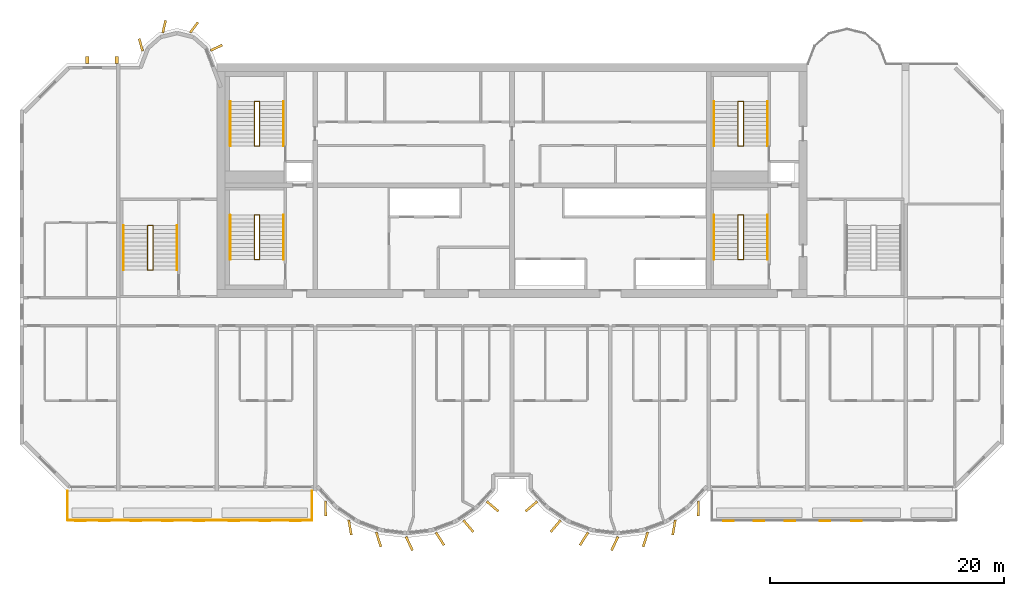
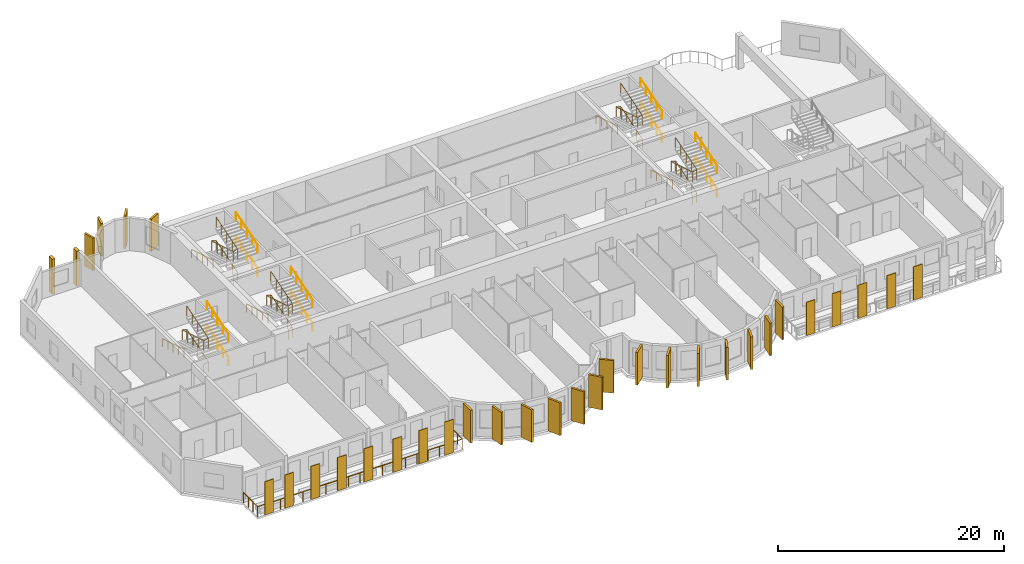
# One storey, part 11 of 13: 33 coverings, 21 railings.
"""IFC4 building model written with IfcOpenShell, lengths in metres."""

import ifcopenshell
import ifcopenshell.guid

model = None  # the IFC model being written
_history = None  # IfcOwnerHistory: only IFC2X3 demands one
_inside = {}  # id of a spatial element -> (the spatial element, [elements in it])
_under = {}  # id of a project, library or spatial element -> (it, [spatial elements below it])
_declared = {}  # id of a project -> (the project, [libraries it declares])
_typed = {}  # id of a type object -> (the type object, [elements of that type])
_made_of = {}  # id of a material, layer set ... -> (it, [elements and type objects made of it])


def new_model(schema):
    """Start an empty IFC model of exactly this schema.

    Asked for "IFC4X3", IfcOpenShell would pick the latest addendum, in which some entities
    have other attributes; the version numbers below select the first issue.
    IFC2X3 requires an IfcOwnerHistory on every rooted entity: one is made here for all.
    """
    global model, _history
    if schema == "IFC4X3":
        model = ifcopenshell.file(schema_version=(4, 3, 0, 0))
    else:
        model = ifcopenshell.file(schema=schema)
    _inside.clear()
    _under.clear()
    _declared.clear()
    _typed.clear()
    _made_of.clear()
    _history = None
    if model.schema == "IFC2X3":
        org = make("IfcOrganization", Name="unknown")
        user = make(
            "IfcPersonAndOrganization",
            ThePerson=make("IfcPerson", FamilyName="unknown"),
            TheOrganization=org,
        )
        app = make(
            "IfcApplication",
            ApplicationDeveloper=org,
            Version="unknown",
            ApplicationFullName="unknown",
            ApplicationIdentifier="unknown",
        )
        _history = make(
            "IfcOwnerHistory",
            OwningUser=user,
            OwningApplication=app,
            ChangeAction="ADDED",
            CreationDate=0,
        )
    return model


def make(cls, **values):
    """One entity of the class cls with the attributes given. An attribute that is None is left unset."""
    return model.create_entity(
        cls, **{name: value for name, value in values.items() if value is not None}
    )


def rooted(cls, **values):
    """An entity with a GlobalId (a new one), such as an element, a storey or a relation."""
    return make(cls, GlobalId=ifcopenshell.guid.new(), OwnerHistory=_history, **values)


def si_unit(unit_type, name, prefix=None):
    """IfcSIUnit, for example si_unit("LENGTHUNIT", "METRE", prefix="MILLI")."""
    return make("IfcSIUnit", UnitType=unit_type, Prefix=prefix, Name=name)


def assignment(units):
    """IfcUnitAssignment: the units of a project."""
    return None if units is None else make("IfcUnitAssignment", Units=units)


def point(xyz):
    """IfcCartesianPoint."""
    return None if xyz is None else make("IfcCartesianPoint", Coordinates=xyz)


def direction(xyz):
    """IfcDirection."""
    return None if xyz is None else make("IfcDirection", DirectionRatios=xyz)


def frame(location, z_axis=None, x_axis=None):
    """IfcAxis2Placement3D, a coordinate frame: its origin and axes. An axis left out is left unset."""
    return make(
        "IfcAxis2Placement3D",
        Location=point(location),
        Axis=direction(z_axis),
        RefDirection=direction(x_axis),
    )


def frame_2d(location, x_axis=None):
    """IfcAxis2Placement2D, a coordinate frame in the plane: its origin and x axis."""
    return make(
        "IfcAxis2Placement2D", Location=point(location), RefDirection=direction(x_axis)
    )


def origin():
    """The frame at (0, 0, 0) with its axes left unset."""
    return frame((0.0, 0.0, 0.0))


def origin_2d():
    """The frame at (0, 0) in the plane with its x axis left unset."""
    return frame_2d((0.0, 0.0))


def place(relative_to, where):
    """IfcLocalPlacement: puts the frame where relative to a parent placement (None: the world)."""
    return make(
        "IfcLocalPlacement", PlacementRelTo=relative_to, RelativePlacement=where
    )


def context(
    kind, dimensions, precision=None, world=None, true_north=None, identifier=None
):
    """IfcGeometricRepresentationContext, for example the 3D "Model" context."""
    return make(
        "IfcGeometricRepresentationContext",
        ContextIdentifier=identifier,
        ContextType=kind,
        CoordinateSpaceDimension=dimensions,
        Precision=precision,
        WorldCoordinateSystem=world,
        TrueNorth=true_north,
    )


def subcontext(parent, identifier, kind, view, scale=None):
    """IfcGeometricRepresentationSubContext, for example "Body" below "Model"."""
    return make(
        "IfcGeometricRepresentationSubContext",
        ContextIdentifier=identifier,
        ContextType=kind,
        ParentContext=parent,
        TargetScale=scale,
        TargetView=view,
    )


def project(units=None, contexts=None):
    """IfcProject with its units and contexts."""
    return rooted(
        "IfcProject",
        Name="project",
        RepresentationContexts=contexts,
        UnitsInContext=assignment(units),
    )


def spatial(cls, under=None, at=None, **own):
    """A site, building, storey or space (cls), placed at a placement, below another one or the project."""
    s = rooted(cls, ObjectPlacement=at, **own)
    if under is not None:
        _under.setdefault(under.id(), (under, []))[1].append(s)
    return s


def profile(cls, at=None, kind="AREA", **sizes):
    """A parametric profile (cls). Its sizes go by their IFC names, for example OverallWidth=200.0."""
    return make(cls, ProfileType=kind, Position=at, **sizes)


def rectangle(**sizes):
    """IfcRectangleProfileDef."""
    return profile("IfcRectangleProfileDef", **sizes)


def circle(**sizes):
    """IfcCircleProfileDef."""
    return profile("IfcCircleProfileDef", **sizes)


def extrude(swept, where, along, depth):
    """IfcExtrudedAreaSolid: the profile swept, set in the frame where, extruded along a direction by depth."""
    return make(
        "IfcExtrudedAreaSolid",
        SweptArea=swept,
        Position=where,
        ExtrudedDirection=direction(along),
        Depth=depth,
    )


def shape(context_of_items, identifier, shape_type, items):
    """IfcShapeRepresentation: the items that make up one representation, for example the "Body"."""
    return make(
        "IfcShapeRepresentation",
        ContextOfItems=context_of_items,
        RepresentationIdentifier=identifier,
        RepresentationType=shape_type,
        Items=items,
    )


def source(mapping_origin, context_of_items, identifier, shape_type, items):
    """IfcRepresentationMap: a shape defined once, which mapped items show again and again."""
    return make(
        "IfcRepresentationMap",
        MappingOrigin=mapping_origin,
        MappedRepresentation=shape(context_of_items, identifier, shape_type, items),
    )


def transform(
    local_origin,
    x_axis=None,
    y_axis=None,
    z_axis=None,
    scale=None,
    scale2=None,
    scale3=None,
    uniform=True,
):
    """IfcCartesianTransformationOperator3D, or its non-uniform kind. x_axis, y_axis, z_axis: its Axis1, 2, 3."""
    if uniform:
        return make(
            "IfcCartesianTransformationOperator3D",
            Axis1=direction(x_axis),
            Axis2=direction(y_axis),
            LocalOrigin=point(local_origin),
            Scale=scale,
            Axis3=direction(z_axis),
        )
    return make(
        "IfcCartesianTransformationOperator3DnonUniform",
        Axis1=direction(x_axis),
        Axis2=direction(y_axis),
        LocalOrigin=point(local_origin),
        Scale=scale,
        Axis3=direction(z_axis),
        Scale2=scale2,
        Scale3=scale3,
    )


def mapped(mapping_source, mapping_target):
    """IfcMappedItem: shows the shape of a source again, moved by a transform."""
    return make(
        "IfcMappedItem", MappingSource=mapping_source, MappingTarget=mapping_target
    )


def material(Name=None, Category=None):
    """IfcMaterial."""
    return make("IfcMaterial", Name=Name, Category=Category)


def layer(
    of_material, thickness, ventilated=None, Name=None, Category=None, Priority=None
):
    """IfcMaterialLayer: one layer of a wall or slab, of a material (None: an air gap)."""
    return make(
        "IfcMaterialLayer",
        Material=of_material,
        LayerThickness=thickness,
        IsVentilated=ventilated,
        Name=Name,
        Category=Category,
        Priority=Priority,
    )


def layer_set(layers, Name=None):
    """IfcMaterialLayerSet."""
    return make("IfcMaterialLayerSet", MaterialLayers=layers, LayerSetName=Name)


def material_profile(
    of_material, cross_section, Name=None, Category=None, Priority=None
):
    """IfcMaterialProfile: a cross section and its material."""
    return make(
        "IfcMaterialProfile",
        Name=Name,
        Material=of_material,
        Profile=cross_section,
        Priority=Priority,
        Category=Category,
    )


def profile_set(profiles, Name=None, composite=None):
    """IfcMaterialProfileSet."""
    return make(
        "IfcMaterialProfileSet",
        Name=Name,
        MaterialProfiles=profiles,
        CompositeProfile=composite,
    )


def made_of(thing, what):
    """Note that an element or type object is made of a material, layer set ...; save() writes the relation."""
    if what is not None:
        _made_of.setdefault(what.id(), (what, []))[1].append(thing)
    return thing


def type_object(cls, material=None, **own):
    """A type object (cls), such as IfcWallType, which elements share."""
    return made_of(rooted(cls, **own), material)


def element(
    cls,
    number,
    at=None,
    inside=None,
    cuts=None,
    type_object=None,
    material=None,
    context=None,
    identifier="Body",
    shape_type=None,
    held_by="IfcProductDefinitionShape",
    body=None,
    shapes=None,
    **own,
):
    """One element of the class cls, such as IfcWall. Its Tag is "e" and its number.

    at: its placement. inside: the storey or other place that contains it. cuts: it is an
    opening in that element (IfcRelVoidsElement). A single representation is given by context,
    identifier, shape_type and body (its items); several are given by shapes. held_by: the class
    of the entity that holds the representations. save() writes the other relations.
    """
    e = rooted(cls, Tag="e%d" % number, ObjectPlacement=at, **own)
    if body is not None:
        shapes = [shape(context, identifier, shape_type, body)]
    if shapes is not None:
        e.Representation = make(held_by, Representations=shapes)
    if inside is not None:
        _inside.setdefault(inside.id(), (inside, []))[1].append(e)
    if cuts is not None:
        rooted(
            "IfcRelVoidsElement", RelatingBuildingElement=cuts, RelatedOpeningElement=e
        )
    if type_object is not None:
        _typed.setdefault(type_object.id(), (type_object, []))[1].append(e)
    return made_of(e, material)


def aggregate(whole, parts):
    """IfcRelAggregates: a whole, such as a stair, and the parts it consists of."""
    return rooted("IfcRelAggregates", RelatingObject=whole, RelatedObjects=parts)


def save(model, path):
    """Write the relations noted so far, then the file.

    IfcRelAggregates (storeys below a building ...), IfcRelContainedInSpatialStructure (elements
    in a storey), IfcRelDefinesByType, IfcRelAssociatesMaterial and IfcRelDeclares: one each for
    every whole, place, type object, material and project.
    """
    for whole, parts in _under.values():
        aggregate(whole, parts)
    for where, things in _inside.values():
        rooted(
            "IfcRelContainedInSpatialStructure",
            RelatedElements=things,
            RelatingStructure=where,
        )
    for kind, things in _typed.values():
        rooted("IfcRelDefinesByType", RelatedObjects=things, RelatingType=kind)
    for what, things in _made_of.values():
        rooted("IfcRelAssociatesMaterial", RelatedObjects=things, RelatingMaterial=what)
    for by, libraries in _declared.values():
        rooted("IfcRelDeclares", RelatingContext=by, RelatedDefinitions=libraries)
    model.write(path)


model = new_model("IFC4")

# Units and contexts
model_context = context("Model", 3, precision=1e-05, world=origin(), true_north=direction((0.0, 1.0)))
body_context = subcontext(model_context, "Body", "Model", "MODEL_VIEW")
ifc_project = project(units=[si_unit("LENGTHUNIT", "METRE"), si_unit("AREAUNIT", "SQUARE_METRE"), si_unit("VOLUMEUNIT", "CUBIC_METRE"), si_unit("PLANEANGLEUNIT", "RADIAN"), si_unit("MASSUNIT", "GRAM", prefix="KILO")], contexts=[model_context])

# Site, building, storey
site_placement = place(None, origin())
site = spatial("IfcSite", under=ifc_project, at=site_placement, CompositionType="ELEMENT")
building_placement = place(site_placement, origin())
building = spatial("IfcBuilding", under=site, at=building_placement, Name="Vanashikhar Sky Hotel", CompositionType="ELEMENT")
storey_placement = place(building_placement, frame((0.0, 0.0, 155.39990234375)))
storey = spatial("IfcBuildingStorey", under=building, at=storey_placement, Name="L37", CompositionType="ELEMENT", Elevation=155.39990234375)

# Coverings
ifc_material_1 = material(Name="Terracotta", Category="masonry")
ifc_layer = layer(ifc_material_1, 0.06005859375)
ifc_layer_set = layer_set([ifc_layer], Name="Terracotta baguette screen")
covering_type_1 = type_object("IfcCoveringType", Name="Terracotta baguette screen", PredefinedType="CLADDING", material=ifc_layer_set)
shared_shape_1 = source(origin(), body_context, "Body", "SweptSolid", [
    extrude(rectangle(XDim=0.89990234375, YDim=0.06005859375, at=origin_2d()), origin(), (0.0, 0.0, 1.0), 3.60009765625),
])
for number, where, z_axis, x_axis, name in (
    (1, (13.574951171875, 2.929931640625, -0.050048828125), (0.0, 0.0, 1.0), (1.0, 0.0, 0.0), "Terracotta screen"),
    (2, (15.625, 2.929931640625, -0.050048828125), (0.0, 0.0, 1.0), (1.0, 0.0, 0.0), "Terracotta screen"),
    (3, (18.300048828125, 2.929931640625, -0.050048828125), (0.0, 0.0, 1.0), (1.0, 0.0, 0.0), "Terracotta screen"),
    (4, (21.0, 2.929931640625, -0.050048828125), (0.0, 0.0, 1.0), (1.0, 0.0, 0.0), "Terracotta screen"),
    (5, (23.699951171875, 2.929931640625, -0.050048828125), (0.0, 0.0, 1.0), (1.0, 0.0, 0.0), "Terracotta screen"),
    (6, (26.666748046875, 2.929931640625, -0.050048828125), (0.0, 0.0, 1.0), (1.0, 0.0, 0.0), "Terracotta screen"),
    (7, (29.300048828125, 2.929931640625, -0.050048828125), (0.0, 0.0, 1.0), (1.0, 0.0, 0.0), "Terracotta screen"),
    (8, (31.933349609375, 2.929931640625, -0.050048828125), (0.0, 0.0, 1.0), (1.0, 0.0, 0.0), "Terracotta screen"),
    (9, (68.86669921875, 2.929931640625, -0.050048828125), (0.0, 0.0, 1.0), (1.0, 0.0, 0.0), "Terracotta screen"),
    (10, (71.5, 2.929931640625, -0.050048828125), (0.0, 0.0, 1.0), (1.0, 0.0, 0.0), "Terracotta screen"),
    (11, (74.13330078125, 2.929931640625, -0.050048828125), (0.0, 0.0, 1.0), (1.0, 0.0, 0.0), "Terracotta screen"),
    (12, (77.10009765625, 2.929931640625, -0.050048828125), (0.0, 0.0, 1.0), (1.0, 0.0, 0.0), "Terracotta screen"),
    (13, (79.800048828125, 2.929931640625, -0.050048828125), (0.0, 0.0, 1.0), (1.0, 0.0, 0.0), "Terracotta screen"),
):
    element("IfcCovering", number, at=place(storey_placement, frame(where, z_axis=z_axis, x_axis=x_axis)), inside=storey, type_object=covering_type_1, Name=name, PredefinedType="CLADDING", context=body_context, shape_type="MappedRepresentation", body=[
        mapped(shared_shape_1, transform((0.0, 0.0, 0.0), scale=1.0)),
    ])
ifc_material_2 = material(Name="Concrete M60 dark", Category="concrete")
ifc_material_profile_1 = material_profile(ifc_material_2, rectangle(XDim=1.300048828125, YDim=0.199951171875, at=origin_2d()))
ifc_profile_set_1 = profile_set([ifc_material_profile_1], Name="Fin 1300 x 200")
covering_type_2 = type_object("IfcCoveringType", Name="Fin 1300 x 200", PredefinedType="CLADDING", material=ifc_profile_set_1)
shared_shape_2 = source(origin(), body_context, "Body", "SweptSolid", [
    extrude(rectangle(XDim=1.300048828125, YDim=0.199951171875, at=origin_2d()), origin(), (0.0, 0.0, 1.0), 3.52001953125),
])
for number, where, z_axis, x_axis, name in (
    (14, (34.482421875, 3.992919921875, 0.0), (0.0, 0.0, 1.0), (0.011588726826, -0.999932848451, 0.0), "Fin F1-1"),
    (15, (36.572509765625, 2.3779296875, 0.0), (0.0, 0.0, 1.0), (0.16989991575, -0.985461322746, 0.0), "Fin F1-2"),
    (16, (39.00830078125, 1.35693359375, 0.0), (0.0, 0.0, 1.0), (0.303966551867, -0.952682704444, 0.0), "Fin F1-3"),
    (17, (41.63232421875, 1.00146484375, 0.0), (0.0, 0.0, 1.0), (0.422618261741, -0.906307787037, 0.0), "Fin F1-4"),
    (18, (44.251953125, 1.416015625, 0.0), (0.0, 0.0, 1.0), (0.534411358496, -0.845224526331, 0.0), "Fin F1-5"),
    (19, (46.676025390625, 2.5, 0.0), (0.0, 0.0, 1.0), (0.645697609467, -0.763593214433, 0.0), "Fin F1-6"),
    (20, (48.7412109375, 4.1845703125, 0.0), (0.0, 0.0, 1.0), (0.758543912032, -0.65162192529, 0.0), "Fin F1-7"),
    (21, (52.058837890625, 4.1845703125, 0.0), (0.0, 0.0, 1.0), (-0.758543912032, -0.65162192529, 0.0), "Fin F2-1"),
    (22, (54.123779296875, 2.5, 0.0), (0.0, 0.0, 1.0), (-0.645697609467, -0.763593214433, 0.0), "Fin F2-2"),
    (23, (56.547119140625, 1.416015625, 0.0), (0.0, 0.0, 1.0), (-0.534411358496, -0.845224526331, 0.0), "Fin F2-3"),
    (24, (59.16748046875, 1.00146484375, 0.0), (0.0, 0.0, 1.0), (-0.422618261741, -0.906307787037, 0.0), "Fin F2-4"),
    (25, (61.790771484375, 1.35693359375, 0.0), (0.0, 0.0, 1.0), (-0.303966551867, -0.952682704444, 0.0), "Fin F2-5"),
    (26, (64.2275390625, 2.3779296875, 0.0), (0.0, 0.0, 1.0), (-0.16989991575, -0.985461322746, 0.0), "Fin F2-6"),
    (27, (66.317626953125, 3.992919921875, 0.0), (0.0, 0.0, 1.0), (-0.011588726826, -0.999932848451, 0.0), "Fin F2-7"),
):
    element("IfcCovering", number, at=place(storey_placement, frame(where, z_axis=z_axis, x_axis=x_axis)), inside=storey, type_object=covering_type_2, Name=name, PredefinedType="CLADDING", context=body_context, shape_type="MappedRepresentation", body=[
        mapped(shared_shape_2, transform((0.0, 0.0, 0.0), scale=1.0)),
    ])
ifc_material_profile_2 = material_profile(ifc_material_2, rectangle(XDim=1.10009765625, YDim=0.199951171875, at=origin_2d()))
ifc_profile_set_2 = profile_set([ifc_material_profile_2], Name="Rear lobe fin 1100 x 200")
covering_type_3 = type_object("IfcCoveringType", Name="Rear lobe fin 1100 x 200", PredefinedType="CLADDING", material=ifc_profile_set_2)
shared_shape_3 = source(origin(), body_context, "Body", "SweptSolid", [
    extrude(rectangle(XDim=1.10009765625, YDim=0.199951171875, at=origin_2d()), origin(), (0.0, 0.0, 1.0), 3.52001953125),
])
for number, where, z_axis, x_axis, name in (
    (28, (18.720703125, 43.580078125, 0.0), (0.0, 0.0, 1.0), (-0.262711264409, 0.964874495234, 0.0), "Fin R1-1"),
    (29, (20.710205078125, 45.1455078125, 0.0), (0.0, 0.0, 1.0), (0.224644935864, 0.974440687159, 0.0), "Fin R1-2"),
    (30, (23.261962890625, 45.06640625, 0.0), (0.0, 0.0, 1.0), (0.602065892195, 0.798446404874, 0.0), "Fin R1-3"),
    (31, (25.169677734375, 43.33447265625, 0.0), (0.0, 0.0, 1.0), (0.908004291068, 0.418960866193, 0.0), "Fin R1-4"),
):
    element("IfcCovering", number, at=place(storey_placement, frame(where, z_axis=z_axis, x_axis=x_axis)), inside=storey, type_object=covering_type_3, Name=name, PredefinedType="CLADDING", context=body_context, shape_type="MappedRepresentation", body=[
        mapped(shared_shape_3, transform((0.0, 0.0, 0.0), scale=1.0)),
    ])

# Railing
ifc_material_3 = material(Name="Stainless steel 316", Category="steel")
railing_type_1 = type_object("IfcRailingType", Name="Balcony guard 1100", PredefinedType="GUARDRAIL", material=ifc_material_3)
shared_shape_4 = source(origin(), body_context, "Body", "SweptSolid", [
    extrude(circle(Radius=0.02392578125, at=origin_2d()), frame((0.0, 0.0, 1.076171875), z_axis=(0.0, -1.0, 0.0), x_axis=(1.0, 0.0, 0.0)), (0.0, 0.0, 1.0), 2.5),
    extrude(circle(Radius=0.02392578125, at=origin_2d()), frame((0.0, -2.5, 1.076171875), z_axis=(1.0, 0.0, 0.0), x_axis=(0.0, 1.0, 0.0)), (0.0, 0.0, 1.0), 20.880126953125),
    extrude(circle(Radius=0.02392578125, at=origin_2d()), frame((20.880126953125, -2.5, 1.076171875), z_axis=(0.0, 1.0, 0.0), x_axis=(-1.0, 0.0, 0.0)), (0.0, 0.0, 1.0), 2.5),
    extrude(circle(Radius=0.02099609375, at=origin_2d()), origin(), (0.0, 0.0, 1.0), 1.052001953125),
    extrude(circle(Radius=0.02099609375, at=origin_2d()), frame((0.0, -0.833251953125, 0.0)), (0.0, 0.0, 1.0), 1.052001953125),
    extrude(circle(Radius=0.02099609375, at=origin_2d()), frame((0.0, -1.666748046875, 0.0)), (0.0, 0.0, 1.0), 1.052001953125),
    extrude(circle(Radius=0.02099609375, at=origin_2d()), frame((0.0, -2.5, 0.0)), (0.0, 0.0, 1.0), 1.052001953125),
    extrude(circle(Radius=0.02099609375, at=origin_2d()), frame((1.159912109375, -2.5, 0.0)), (0.0, 0.0, 1.0), 1.052001953125),
    extrude(circle(Radius=0.02099609375, at=origin_2d()), frame((2.320068359375, -2.5, 0.0)), (0.0, 0.0, 1.0), 1.052001953125),
    extrude(circle(Radius=0.02099609375, at=origin_2d()), frame((3.47998046875, -2.5, 0.0)), (0.0, 0.0, 1.0), 1.052001953125),
    extrude(circle(Radius=0.02099609375, at=origin_2d()), frame((4.64013671875, -2.5, 0.0)), (0.0, 0.0, 1.0), 1.052001953125),
    extrude(circle(Radius=0.02099609375, at=origin_2d()), frame((5.800048828125, -2.5, 0.0)), (0.0, 0.0, 1.0), 1.052001953125),
    extrude(circle(Radius=0.02099609375, at=origin_2d()), frame((6.9599609375, -2.5, 0.0)), (0.0, 0.0, 1.0), 1.052001953125),
    extrude(circle(Radius=0.02099609375, at=origin_2d()), frame((8.1201171875, -2.5, 0.0)), (0.0, 0.0, 1.0), 1.052001953125),
    extrude(circle(Radius=0.02099609375, at=origin_2d()), frame((9.280029296875, -2.5, 0.0)), (0.0, 0.0, 1.0), 1.052001953125),
    extrude(circle(Radius=0.02099609375, at=origin_2d()), frame((10.43994140625, -2.5, 0.0)), (0.0, 0.0, 1.0), 1.052001953125),
    extrude(circle(Radius=0.02099609375, at=origin_2d()), frame((11.60009765625, -2.5, 0.0)), (0.0, 0.0, 1.0), 1.052001953125),
    extrude(circle(Radius=0.02099609375, at=origin_2d()), frame((12.760009765625, -2.5, 0.0)), (0.0, 0.0, 1.0), 1.052001953125),
    extrude(circle(Radius=0.02099609375, at=origin_2d()), frame((13.920166015625, -2.5, 0.0)), (0.0, 0.0, 1.0), 1.052001953125),
    extrude(circle(Radius=0.02099609375, at=origin_2d()), frame((15.080078125, -2.5, 0.0)), (0.0, 0.0, 1.0), 1.052001953125),
    extrude(circle(Radius=0.02099609375, at=origin_2d()), frame((16.239990234375, -2.5, 0.0)), (0.0, 0.0, 1.0), 1.052001953125),
    extrude(circle(Radius=0.02099609375, at=origin_2d()), frame((17.400146484375, -2.5, 0.0)), (0.0, 0.0, 1.0), 1.052001953125),
    extrude(circle(Radius=0.02099609375, at=origin_2d()), frame((18.56005859375, -2.5, 0.0)), (0.0, 0.0, 1.0), 1.052001953125),
    extrude(circle(Radius=0.02099609375, at=origin_2d()), frame((19.72021484375, -2.5, 0.0)), (0.0, 0.0, 1.0), 1.052001953125),
    extrude(circle(Radius=0.02099609375, at=origin_2d()), frame((20.880126953125, -2.5, 0.0)), (0.0, 0.0, 1.0), 1.052001953125),
    extrude(circle(Radius=0.02099609375, at=origin_2d()), frame((20.880126953125, -1.666748046875, 0.0)), (0.0, 0.0, 1.0), 1.052001953125),
    extrude(circle(Radius=0.02099609375, at=origin_2d()), frame((20.880126953125, -0.833251953125, 0.0)), (0.0, 0.0, 1.0), 1.052001953125),
    extrude(circle(Radius=0.02099609375, at=origin_2d()), frame((20.880126953125, 0.0, 0.0)), (0.0, 0.0, 1.0), 1.052001953125),
])
railing_1_placement = place(storey_placement, frame((12.4599609375, 5.5, -0.0498046875)))
element("IfcRailing", 32, at=railing_1_placement, inside=storey, type_object=railing_type_1, Name="Balcony guard", PredefinedType="GUARDRAIL", context=body_context, shape_type="MappedRepresentation", body=[
    mapped(shared_shape_4, transform((0.0, 0.0, 0.0), scale=1.0)),
])

# Coverings
ifc_material_profile_3 = material_profile(ifc_material_2, rectangle(XDim=0.60009765625, YDim=0.300048828125, at=origin_2d()))
ifc_profile_set_3 = profile_set([ifc_material_profile_3], Name="Rear rib 600 x 300")
covering_type_4 = type_object("IfcCoveringType", Name="Rear rib 600 x 300", PredefinedType="CLADDING", material=ifc_profile_set_3)
shared_shape_5 = source(origin(), body_context, "Body", "SweptSolid", [
    extrude(rectangle(XDim=0.60009765625, YDim=0.300048828125, at=origin_2d()), origin(), (0.0, 0.0, 1.0), 3.7998046875),
])
for number, where, z_axis, x_axis, name in (
    (33, (14.14990234375, 42.300048828125, -0.27978515625), (0.0, 0.0, 1.0), (0.0, 1.0, 0.0), "Rear rib"),
    (34, (16.64990234375, 42.300048828125, -0.27978515625), (0.0, 0.0, 1.0), (0.0, 1.0, 0.0), "Rear rib"),
):
    element("IfcCovering", number, at=place(storey_placement, frame(where, z_axis=z_axis, x_axis=x_axis)), inside=storey, type_object=covering_type_4, Name=name, PredefinedType="CLADDING", context=body_context, shape_type="MappedRepresentation", body=[
        mapped(shared_shape_5, transform((0.0, 0.0, 0.0), scale=1.0)),
    ])

# Railings
ifc_material_4 = material(Name="Steel S355", Category="steel")
railing_type_2 = type_object("IfcRailingType", Name="Stair handrail 900", PredefinedType="HANDRAIL", material=ifc_material_4)
shared_shape_6 = source(origin(), body_context, "Body", "SweptSolid", [
    extrude(circle(Radius=0.02392578125, at=origin_2d()), frame((0.0, 0.0, 0.8759765625), z_axis=(0.0, 0.95635109408, 0.292220096591), x_axis=(-1.0, 0.0, 0.0)), (0.0, 0.0, 1.0), 3.973388671875),
    extrude(circle(Radius=0.02099609375, at=origin_2d()), origin(), (0.0, 0.0, 1.0), 0.851806640625),
    extrude(circle(Radius=0.02099609375, at=origin_2d()), frame((0.0, 0.949951171875, 0.290283203125)), (0.0, 0.0, 1.0), 0.851806640625),
    extrude(circle(Radius=0.02099609375, at=origin_2d()), frame((0.0, 1.89990234375, 0.58056640625)), (0.0, 0.0, 1.0), 0.851806640625),
    extrude(circle(Radius=0.02099609375, at=origin_2d()), frame((0.0, 2.85009765625, 0.870849609375)), (0.0, 0.0, 1.0), 0.851806640625),
    extrude(circle(Radius=0.02099609375, at=origin_2d()), frame((0.0, 3.800048828125, 1.1611328125)), (0.0, 0.0, 1.0), 0.851806640625),
])
for number, where, name in (
    (35, (30.89990234375, 25.25, 0.105712890625), "Exit stair 1 handrail"),
    (36, (30.89990234375, 25.25, 2.638916015625), "Exit stair 1 handrail"),
    (37, (72.199951171875, 25.25, 0.105712890625), "Exit stair 2 handrail"),
    (38, (72.199951171875, 25.25, 2.638916015625), "Exit stair 2 handrail"),
    (39, (30.89990234375, 34.949951171875, 0.105712890625), "Exit stair 5 handrail"),
    (40, (30.89990234375, 34.949951171875, 2.638916015625), "Exit stair 5 handrail"),
    (41, (72.199951171875, 34.949951171875, 0.105712890625), "Exit stair 6 handrail"),
    (42, (72.199951171875, 34.949951171875, 2.638916015625), "Exit stair 6 handrail"),
):
    element("IfcRailing", number, at=place(storey_placement, frame(where)), inside=storey, type_object=railing_type_2, Name=name, PredefinedType="HANDRAIL", context=body_context, shape_type="MappedRepresentation", body=[
        mapped(shared_shape_6, transform((0.0, 0.0, 0.0), scale=1.0)),
    ])
shared_shape_7 = source(origin(), body_context, "Body", "SweptSolid", [
    extrude(circle(Radius=0.02392578125, at=origin_2d()), frame((0.0, 0.0, 0.8759765625), z_axis=(0.0, -0.95635109408, 0.292220096591), x_axis=(1.0, 0.0, 0.0)), (0.0, 0.0, 1.0), 3.973388671875),
    extrude(circle(Radius=0.02099609375, at=origin_2d()), origin(), (0.0, 0.0, 1.0), 0.851806640625),
    extrude(circle(Radius=0.02099609375, at=origin_2d()), frame((0.0, -0.949951171875, 0.290283203125)), (0.0, 0.0, 1.0), 0.851806640625),
    extrude(circle(Radius=0.02099609375, at=origin_2d()), frame((0.0, -1.89990234375, 0.58056640625)), (0.0, 0.0, 1.0), 0.851806640625),
    extrude(circle(Radius=0.02099609375, at=origin_2d()), frame((0.0, -2.85009765625, 0.870849609375)), (0.0, 0.0, 1.0), 0.851806640625),
    extrude(circle(Radius=0.02099609375, at=origin_2d()), frame((0.0, -3.800048828125, 1.1611328125)), (0.0, 0.0, 1.0), 0.851806640625),
])
for number, where, name in (
    (43, (26.35009765625, 29.050048828125, 1.372314453125), "Exit stair 1 handrail"),
    (44, (67.64990234375, 29.050048828125, 1.372314453125), "Exit stair 2 handrail"),
    (45, (26.35009765625, 38.75, 1.372314453125), "Exit stair 5 handrail"),
    (46, (67.64990234375, 38.75, 1.372314453125), "Exit stair 6 handrail"),
):
    element("IfcRailing", number, at=place(storey_placement, frame(where)), inside=storey, type_object=railing_type_2, Name=name, PredefinedType="HANDRAIL", context=body_context, shape_type="MappedRepresentation", body=[
        mapped(shared_shape_7, transform((0.0, 0.0, 0.0), scale=1.0)),
    ])
railing_type_3 = type_object("IfcRailingType", Name="Stair guard 1100", PredefinedType="GUARDRAIL", material=ifc_material_4)
shared_shape_8 = source(origin(), body_context, "Body", "SweptSolid", [
    extrude(circle(Radius=0.02392578125, at=origin_2d()), frame((0.0, 0.0, 1.076171875), z_axis=(0.973520925263, 0.0, 0.228597917917), x_axis=(0.0, 1.0, 0.0)), (0.0, 0.0, 1.0), 0.46240234375),
    extrude(circle(Radius=0.02392578125, at=origin_2d()), frame((0.4501953125, 0.0, 1.181640625), z_axis=(0.0, 0.95635109408, 0.292220096591), x_axis=(-1.0, 0.0, 0.0)), (0.0, 0.0, 1.0), 3.973388671875),
    extrude(circle(Radius=0.02392578125, at=origin_2d()), frame((0.4501953125, 3.800048828125, 2.3427734375), z_axis=(-0.973638301096, 0.0, 0.228097476179), x_axis=(0.0, -1.0, 0.0)), (0.0, 0.0, 1.0), 0.46240234375),
    extrude(circle(Radius=0.02392578125, at=origin_2d()), frame((0.0, 3.800048828125, 2.4482421875), z_axis=(0.0, -0.95635109408, 0.292220096591), x_axis=(1.0, 0.0, 0.0)), (0.0, 0.0, 1.0), 3.973388671875),
    extrude(circle(Radius=0.02392578125, at=origin_2d()), frame((0.0, 0.0, 3.609375), z_axis=(0.973638301096, 0.0, 0.228097476179), x_axis=(0.0, 1.0, 0.0)), (0.0, 0.0, 1.0), 0.46240234375),
    extrude(circle(Radius=0.02392578125, at=origin_2d()), frame((0.4501953125, 0.0, 3.71484375), z_axis=(0.0, 0.95635109408, 0.292220096591), x_axis=(-1.0, 0.0, 0.0)), (0.0, 0.0, 1.0), 3.973388671875),
    extrude(circle(Radius=0.02099609375, at=origin_2d()), origin(), (0.0, 0.0, 1.0), 1.052001953125),
    extrude(circle(Radius=0.02099609375, at=origin_2d()), frame((0.4501953125, 0.0, 0.105712890625)), (0.0, 0.0, 1.0), 1.052001953125),
    extrude(circle(Radius=0.02099609375, at=origin_2d()), frame((0.4501953125, 0.949951171875, 0.39599609375)), (0.0, 0.0, 1.0), 1.052001953125),
    extrude(circle(Radius=0.02099609375, at=origin_2d()), frame((0.4501953125, 1.89990234375, 0.686279296875)), (0.0, 0.0, 1.0), 1.052001953125),
    extrude(circle(Radius=0.02099609375, at=origin_2d()), frame((0.4501953125, 2.85009765625, 0.9765625)), (0.0, 0.0, 1.0), 1.052001953125),
    extrude(circle(Radius=0.02099609375, at=origin_2d()), frame((0.4501953125, 3.800048828125, 1.266845703125)), (0.0, 0.0, 1.0), 1.052001953125),
    extrude(circle(Radius=0.02099609375, at=origin_2d()), frame((0.0, 3.800048828125, 1.372314453125)), (0.0, 0.0, 1.0), 1.052001953125),
    extrude(circle(Radius=0.02099609375, at=origin_2d()), frame((0.0, 2.85009765625, 1.66259765625)), (0.0, 0.0, 1.0), 1.052001953125),
    extrude(circle(Radius=0.02099609375, at=origin_2d()), frame((0.0, 1.89990234375, 1.952880859375)), (0.0, 0.0, 1.0), 1.052001953125),
    extrude(circle(Radius=0.02099609375, at=origin_2d()), frame((0.0, 0.949951171875, 2.2431640625)), (0.0, 0.0, 1.0), 1.052001953125),
    extrude(circle(Radius=0.02099609375, at=origin_2d()), frame((0.0, 0.0, 2.533447265625)), (0.0, 0.0, 1.0), 1.052001953125),
    extrude(circle(Radius=0.02099609375, at=origin_2d()), frame((0.4501953125, 0.0, 2.638916015625)), (0.0, 0.0, 1.0), 1.052001953125),
    extrude(circle(Radius=0.02099609375, at=origin_2d()), frame((0.4501953125, 0.949951171875, 2.92919921875)), (0.0, 0.0, 1.0), 1.052001953125),
    extrude(circle(Radius=0.02099609375, at=origin_2d()), frame((0.4501953125, 1.89990234375, 3.219482421875)), (0.0, 0.0, 1.0), 1.052001953125),
    extrude(circle(Radius=0.02099609375, at=origin_2d()), frame((0.4501953125, 2.85009765625, 3.509765625)), (0.0, 0.0, 1.0), 1.052001953125),
    extrude(circle(Radius=0.02099609375, at=origin_2d()), frame((0.4501953125, 3.800048828125, 3.800048828125)), (0.0, 0.0, 1.0), 1.052001953125),
])
for number, where, name in (
    (47, (28.39990234375, 25.25, 0.0), "Exit stair 1 guard"),
    (48, (28.39990234375, 34.949951171875, 0.0), "Exit stair 5 guard"),
):
    element("IfcRailing", number, at=place(storey_placement, frame(where)), inside=storey, type_object=railing_type_3, Name=name, PredefinedType="GUARDRAIL", context=body_context, shape_type="MappedRepresentation", body=[
        mapped(shared_shape_8, transform((0.0, 0.0, 0.0), scale=1.0)),
    ])
shared_shape_9 = source(origin(), body_context, "Body", "SweptSolid", [
    extrude(circle(Radius=0.02392578125, at=origin_2d()), frame((0.0, 0.0, 1.076171875), z_axis=(0.973493315427, 0.0, 0.228715466945), x_axis=(0.0, 1.0, 0.0)), (0.0, 0.0, 1.0), 0.462158203125),
    extrude(circle(Radius=0.02392578125, at=origin_2d()), frame((0.449951171875, 0.0, 1.181640625), z_axis=(0.0, 0.95635109408, 0.292220096591), x_axis=(-1.0, 0.0, 0.0)), (0.0, 0.0, 1.0), 3.973388671875),
    extrude(circle(Radius=0.02392578125, at=origin_2d()), frame((0.449951171875, 3.800048828125, 2.3427734375), z_axis=(-0.973610808694, 0.0, 0.228214796178), x_axis=(0.0, -1.0, 0.0)), (0.0, 0.0, 1.0), 0.462158203125),
    extrude(circle(Radius=0.02392578125, at=origin_2d()), frame((0.0, 3.800048828125, 2.4482421875), z_axis=(0.0, -0.95635109408, 0.292220096591), x_axis=(1.0, 0.0, 0.0)), (0.0, 0.0, 1.0), 3.973388671875),
    extrude(circle(Radius=0.02392578125, at=origin_2d()), frame((0.0, 0.0, 3.609375), z_axis=(0.973610808694, 0.0, 0.228214796178), x_axis=(0.0, 1.0, 0.0)), (0.0, 0.0, 1.0), 0.462158203125),
    extrude(circle(Radius=0.02392578125, at=origin_2d()), frame((0.449951171875, 0.0, 3.71484375), z_axis=(0.0, 0.95635109408, 0.292220096591), x_axis=(-1.0, 0.0, 0.0)), (0.0, 0.0, 1.0), 3.973388671875),
    extrude(circle(Radius=0.02099609375, at=origin_2d()), origin(), (0.0, 0.0, 1.0), 1.052001953125),
    extrude(circle(Radius=0.02099609375, at=origin_2d()), frame((0.449951171875, 0.0, 0.105712890625)), (0.0, 0.0, 1.0), 1.052001953125),
    extrude(circle(Radius=0.02099609375, at=origin_2d()), frame((0.449951171875, 0.949951171875, 0.39599609375)), (0.0, 0.0, 1.0), 1.052001953125),
    extrude(circle(Radius=0.02099609375, at=origin_2d()), frame((0.449951171875, 1.89990234375, 0.686279296875)), (0.0, 0.0, 1.0), 1.052001953125),
    extrude(circle(Radius=0.02099609375, at=origin_2d()), frame((0.449951171875, 2.85009765625, 0.9765625)), (0.0, 0.0, 1.0), 1.052001953125),
    extrude(circle(Radius=0.02099609375, at=origin_2d()), frame((0.449951171875, 3.800048828125, 1.266845703125)), (0.0, 0.0, 1.0), 1.052001953125),
    extrude(circle(Radius=0.02099609375, at=origin_2d()), frame((0.0, 3.800048828125, 1.372314453125)), (0.0, 0.0, 1.0), 1.052001953125),
    extrude(circle(Radius=0.02099609375, at=origin_2d()), frame((0.0, 2.85009765625, 1.66259765625)), (0.0, 0.0, 1.0), 1.052001953125),
    extrude(circle(Radius=0.02099609375, at=origin_2d()), frame((0.0, 1.89990234375, 1.952880859375)), (0.0, 0.0, 1.0), 1.052001953125),
    extrude(circle(Radius=0.02099609375, at=origin_2d()), frame((0.0, 0.949951171875, 2.2431640625)), (0.0, 0.0, 1.0), 1.052001953125),
    extrude(circle(Radius=0.02099609375, at=origin_2d()), frame((0.0, 0.0, 2.533447265625)), (0.0, 0.0, 1.0), 1.052001953125),
    extrude(circle(Radius=0.02099609375, at=origin_2d()), frame((0.449951171875, 0.0, 2.638916015625)), (0.0, 0.0, 1.0), 1.052001953125),
    extrude(circle(Radius=0.02099609375, at=origin_2d()), frame((0.449951171875, 0.949951171875, 2.92919921875)), (0.0, 0.0, 1.0), 1.052001953125),
    extrude(circle(Radius=0.02099609375, at=origin_2d()), frame((0.449951171875, 1.89990234375, 3.219482421875)), (0.0, 0.0, 1.0), 1.052001953125),
    extrude(circle(Radius=0.02099609375, at=origin_2d()), frame((0.449951171875, 2.85009765625, 3.509765625)), (0.0, 0.0, 1.0), 1.052001953125),
    extrude(circle(Radius=0.02099609375, at=origin_2d()), frame((0.449951171875, 3.800048828125, 3.800048828125)), (0.0, 0.0, 1.0), 1.052001953125),
])
for number, where, name in (
    (49, (69.699951171875, 25.25, 0.0), "Exit stair 2 guard"),
    (50, (69.699951171875, 34.949951171875, 0.0), "Exit stair 6 guard"),
):
    element("IfcRailing", number, at=place(storey_placement, frame(where)), inside=storey, type_object=railing_type_3, Name=name, PredefinedType="GUARDRAIL", context=body_context, shape_type="MappedRepresentation", body=[
        mapped(shared_shape_9, transform((0.0, 0.0, 0.0), scale=1.0)),
    ])
shared_shape_10 = source(origin(), body_context, "Body", "SweptSolid", [
    extrude(circle(Radius=0.02392578125, at=origin_2d()), frame((0.0, 0.0, 0.8759765625), z_axis=(0.0, 0.956345846891, 0.292237268557), x_axis=(-1.0, 0.0, 0.0)), (0.0, 0.0, 1.0), 3.97314453125),
    extrude(circle(Radius=0.02099609375, at=origin_2d()), origin(), (0.0, 0.0, 1.0), 0.851806640625),
    extrude(circle(Radius=0.02099609375, at=origin_2d()), frame((0.0, 0.949951171875, 0.290283203125)), (0.0, 0.0, 1.0), 0.851806640625),
    extrude(circle(Radius=0.02099609375, at=origin_2d()), frame((0.0, 1.89990234375, 0.58056640625)), (0.0, 0.0, 1.0), 0.851806640625),
    extrude(circle(Radius=0.02099609375, at=origin_2d()), frame((0.0, 2.849853515625, 0.870849609375)), (0.0, 0.0, 1.0), 0.851806640625),
    extrude(circle(Radius=0.02099609375, at=origin_2d()), frame((0.0, 3.7998046875, 1.1611328125)), (0.0, 0.0, 1.0), 0.851806640625),
])
for number, where, name in (
    (51, (21.800048828125, 24.35009765625, 0.105712890625), "Exit stair 3 handrail"),
    (52, (21.800048828125, 24.35009765625, 2.638916015625), "Exit stair 3 handrail"),
):
    element("IfcRailing", number, at=place(storey_placement, frame(where)), inside=storey, type_object=railing_type_2, Name=name, PredefinedType="HANDRAIL", context=body_context, shape_type="MappedRepresentation", body=[
        mapped(shared_shape_10, transform((0.0, 0.0, 0.0), scale=1.0)),
    ])
shared_shape_11 = source(origin(), body_context, "Body", "SweptSolid", [
    extrude(circle(Radius=0.02392578125, at=origin_2d()), frame((0.0, 0.0, 0.8759765625), z_axis=(0.0, -0.956345846891, 0.292237268557), x_axis=(1.0, 0.0, 0.0)), (0.0, 0.0, 1.0), 3.97314453125),
    extrude(circle(Radius=0.02099609375, at=origin_2d()), origin(), (0.0, 0.0, 1.0), 0.851806640625),
    extrude(circle(Radius=0.02099609375, at=origin_2d()), frame((0.0, -0.949951171875, 0.290283203125)), (0.0, 0.0, 1.0), 0.851806640625),
    extrude(circle(Radius=0.02099609375, at=origin_2d()), frame((0.0, -1.89990234375, 0.58056640625)), (0.0, 0.0, 1.0), 0.851806640625),
    extrude(circle(Radius=0.02099609375, at=origin_2d()), frame((0.0, -2.849853515625, 0.870849609375)), (0.0, 0.0, 1.0), 0.851806640625),
    extrude(circle(Radius=0.02099609375, at=origin_2d()), frame((0.0, -3.7998046875, 1.1611328125)), (0.0, 0.0, 1.0), 0.851806640625),
])
railing_2_placement = place(storey_placement, frame((17.25, 28.14990234375, 1.372314453125)))
element("IfcRailing", 53, at=railing_2_placement, inside=storey, type_object=railing_type_2, Name="Exit stair 3 handrail", PredefinedType="HANDRAIL", context=body_context, shape_type="MappedRepresentation", body=[
    mapped(shared_shape_11, transform((0.0, 0.0, 0.0), scale=1.0)),
])
shared_shape_12 = source(origin(), body_context, "Body", "SweptSolid", [
    extrude(circle(Radius=0.02392578125, at=origin_2d()), frame((0.0, 0.0, 1.076171875), z_axis=(0.973493315427, 0.0, 0.228715466945), x_axis=(0.0, 1.0, 0.0)), (0.0, 0.0, 1.0), 0.462158203125),
    extrude(circle(Radius=0.02392578125, at=origin_2d()), frame((0.449951171875, 0.0, 1.181640625), z_axis=(0.0, 0.956345846891, 0.292237268557), x_axis=(-1.0, 0.0, 0.0)), (0.0, 0.0, 1.0), 3.97314453125),
    extrude(circle(Radius=0.02392578125, at=origin_2d()), frame((0.449951171875, 3.7998046875, 2.3427734375), z_axis=(-0.973610808694, 0.0, 0.228214796178), x_axis=(0.0, -1.0, 0.0)), (0.0, 0.0, 1.0), 0.462158203125),
    extrude(circle(Radius=0.02392578125, at=origin_2d()), frame((0.0, 3.7998046875, 2.4482421875), z_axis=(0.0, -0.956345846891, 0.292237268557), x_axis=(1.0, 0.0, 0.0)), (0.0, 0.0, 1.0), 3.97314453125),
    extrude(circle(Radius=0.02392578125, at=origin_2d()), frame((0.0, 0.0, 3.609375), z_axis=(0.973610808694, 0.0, 0.228214796178), x_axis=(0.0, 1.0, 0.0)), (0.0, 0.0, 1.0), 0.462158203125),
    extrude(circle(Radius=0.02392578125, at=origin_2d()), frame((0.449951171875, 0.0, 3.71484375), z_axis=(0.0, 0.956345846891, 0.292237268557), x_axis=(-1.0, 0.0, 0.0)), (0.0, 0.0, 1.0), 3.97314453125),
    extrude(circle(Radius=0.02099609375, at=origin_2d()), origin(), (0.0, 0.0, 1.0), 1.052001953125),
    extrude(circle(Radius=0.02099609375, at=origin_2d()), frame((0.449951171875, 0.0, 0.105712890625)), (0.0, 0.0, 1.0), 1.052001953125),
    extrude(circle(Radius=0.02099609375, at=origin_2d()), frame((0.449951171875, 0.949951171875, 0.39599609375)), (0.0, 0.0, 1.0), 1.052001953125),
    extrude(circle(Radius=0.02099609375, at=origin_2d()), frame((0.449951171875, 1.89990234375, 0.686279296875)), (0.0, 0.0, 1.0), 1.052001953125),
    extrude(circle(Radius=0.02099609375, at=origin_2d()), frame((0.449951171875, 2.849853515625, 0.9765625)), (0.0, 0.0, 1.0), 1.052001953125),
    extrude(circle(Radius=0.02099609375, at=origin_2d()), frame((0.449951171875, 3.7998046875, 1.266845703125)), (0.0, 0.0, 1.0), 1.052001953125),
    extrude(circle(Radius=0.02099609375, at=origin_2d()), frame((0.0, 3.7998046875, 1.372314453125)), (0.0, 0.0, 1.0), 1.052001953125),
    extrude(circle(Radius=0.02099609375, at=origin_2d()), frame((0.0, 2.849853515625, 1.66259765625)), (0.0, 0.0, 1.0), 1.052001953125),
    extrude(circle(Radius=0.02099609375, at=origin_2d()), frame((0.0, 1.89990234375, 1.952880859375)), (0.0, 0.0, 1.0), 1.052001953125),
    extrude(circle(Radius=0.02099609375, at=origin_2d()), frame((0.0, 0.949951171875, 2.2431640625)), (0.0, 0.0, 1.0), 1.052001953125),
    extrude(circle(Radius=0.02099609375, at=origin_2d()), frame((0.0, 0.0, 2.533447265625)), (0.0, 0.0, 1.0), 1.052001953125),
    extrude(circle(Radius=0.02099609375, at=origin_2d()), frame((0.449951171875, 0.0, 2.638916015625)), (0.0, 0.0, 1.0), 1.052001953125),
    extrude(circle(Radius=0.02099609375, at=origin_2d()), frame((0.449951171875, 0.949951171875, 2.92919921875)), (0.0, 0.0, 1.0), 1.052001953125),
    extrude(circle(Radius=0.02099609375, at=origin_2d()), frame((0.449951171875, 1.89990234375, 3.219482421875)), (0.0, 0.0, 1.0), 1.052001953125),
    extrude(circle(Radius=0.02099609375, at=origin_2d()), frame((0.449951171875, 2.849853515625, 3.509765625)), (0.0, 0.0, 1.0), 1.052001953125),
    extrude(circle(Radius=0.02099609375, at=origin_2d()), frame((0.449951171875, 3.7998046875, 3.800048828125)), (0.0, 0.0, 1.0), 1.052001953125),
])
railing_3_placement = place(storey_placement, frame((19.300048828125, 24.35009765625, 0.0)))
element("IfcRailing", 54, at=railing_3_placement, inside=storey, type_object=railing_type_3, Name="Exit stair 3 guard", PredefinedType="GUARDRAIL", context=body_context, shape_type="MappedRepresentation", body=[
    mapped(shared_shape_12, transform((0.0, 0.0, 0.0), scale=1.0)),
])

save(model, "model.ifc")
